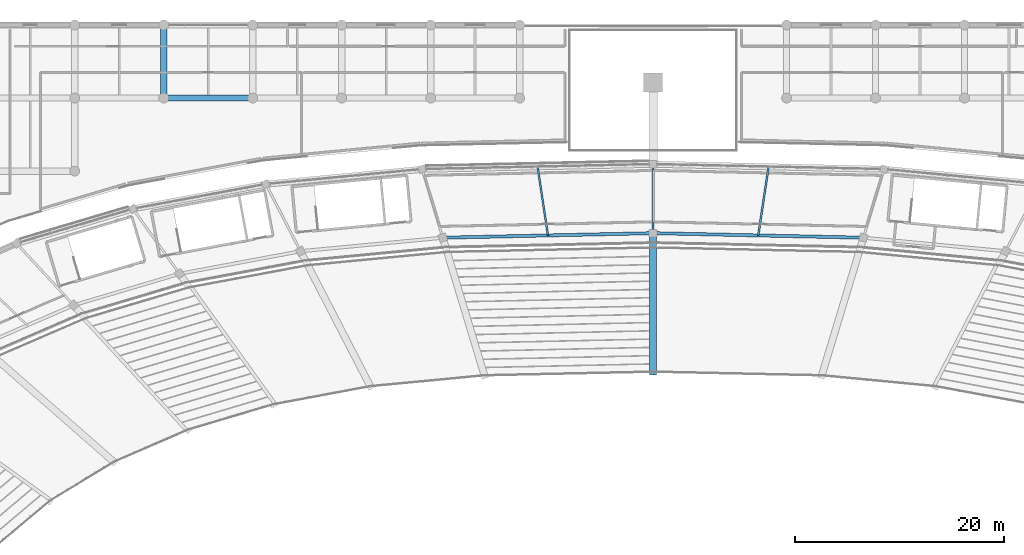
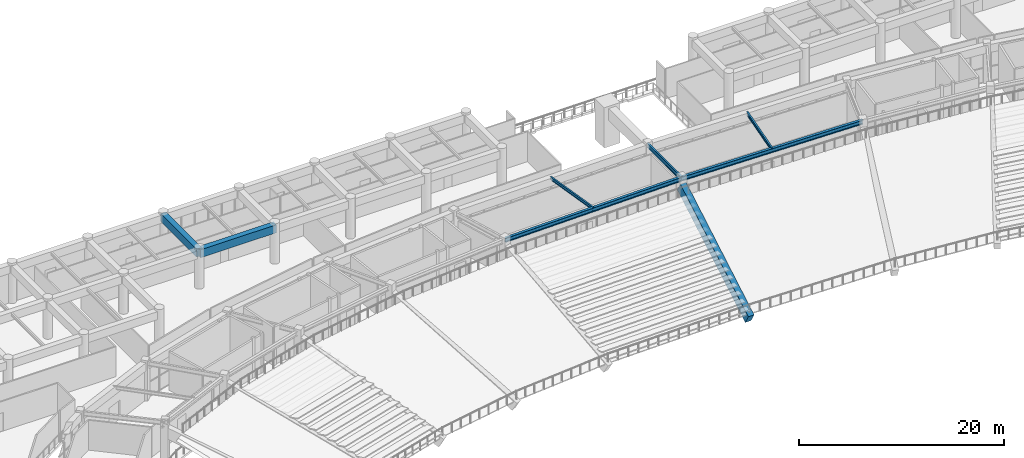
# One storey, part 60 of 137: 8 beams.
"""IFC4 building model written with IfcOpenShell, lengths in metres."""

from ifc_helpers import new_model, si_unit, direction, frame, origin, origin_2d, place, context, subcontext, project, spatial, rectangle, i_section, extrude, material, material_profile, profile_set, type_object, element, save


model = new_model("IFC4")

# Units and contexts
model_context = context("Model", 3, precision=1e-05, world=origin(), true_north=direction((0.0, 1.0)))
body_context = subcontext(model_context, "Body", "Model", "MODEL_VIEW")
ifc_project = project(units=[si_unit("LENGTHUNIT", "METRE"), si_unit("AREAUNIT", "SQUARE_METRE"), si_unit("VOLUMEUNIT", "CUBIC_METRE"), si_unit("PLANEANGLEUNIT", "RADIAN"), si_unit("MASSUNIT", "GRAM", prefix="KILO")], contexts=[model_context])

# Site, building, storey
site_placement = place(None, origin())
site = spatial("IfcSite", under=ifc_project, at=site_placement, CompositionType="ELEMENT")
building_placement = place(site_placement, origin())
building = spatial("IfcBuilding", under=site, at=building_placement, Name="Mphavela Belvedere Stadium", CompositionType="ELEMENT")
storey_placement = place(building_placement, frame((0.0, 0.0, 19.199951171875)))
storey = spatial("IfcBuildingStorey", under=building, at=storey_placement, Name="L04", CompositionType="ELEMENT", Elevation=19.199951171875)

# Beams
ifc_material_1 = material(Name="Concrete C40/50", Category="concrete")
ifc_material_profile_1 = material_profile(ifc_material_1, rectangle(XDim=0.60009765625, YDim=0.949951171875, at=origin_2d()), Name="RC 600x950")
ifc_profile_set_1 = profile_set([ifc_material_profile_1], Name="Concrete C40/50")
beam_type_1 = type_object("IfcBeamType", Name="BM-ENTABLATURE-950", PredefinedType="SPANDREL", material=ifc_profile_set_1)
beam_1_placement = place(storey_placement, frame((68.14794921875, 167.0, 4.06494140625), z_axis=(1.0, 0.0, 0.0), x_axis=(0.0, 1.0, 0.0)))
element("IfcBeam", 1, at=beam_1_placement, inside=storey, type_object=beam_type_1, Name="North Mast and Ceremonial End Forecourt entablature beam X L04 9-7", PredefinedType="SPANDREL", context=body_context, shape_type="SweptSolid", body=[
    extrude(rectangle(XDim=0.60009765625, YDim=0.949951171875, at=origin_2d()), origin(), (0.0, 0.0, 1.0), 8.51904296875),
])
beam_2_placement = place(storey_placement, frame((68.14794921875, 167.0, 4.06494140625), z_axis=(0.0, 1.0, 0.0), x_axis=(-1.0, 0.0, 0.0)))
element("IfcBeam", 2, at=beam_2_placement, inside=storey, type_object=beam_type_1, Name="North Mast and Ceremonial End Forecourt entablature beam Y L04 9-7", PredefinedType="SPANDREL", context=body_context, shape_type="SweptSolid", body=[
    extrude(rectangle(XDim=0.60009765625, YDim=0.949951171875, at=origin_2d()), origin(), (0.0, 0.0, 1.0), 7.0),
])
ifc_material_2 = material(Name="Steel S355", Category="steel")
ifc_material_profile_2 = material_profile(ifc_material_2, i_section(OverallWidth=0.169921875, OverallDepth=0.360107421875, WebThickness=0.008056640625, FlangeThickness=0.0126953125, at=origin_2d()), Name="IPE 360")
ifc_profile_set_2 = profile_set([ifc_material_profile_2], Name="Steel S355")
beam_type_2 = type_object("IfcBeamType", Name="BM-JOIST-IPE360", PredefinedType="JOIST", material=ifc_profile_set_2)
beam_3_placement = place(storey_placement, frame((104.93359375, 153.850830078125, 4.3701171875), z_axis=(-0.148900105887, 0.98885224299, 0.0), x_axis=(-0.98885224299, -0.148900105887, 0.0)))
element("IfcBeam", 3, at=beam_3_placement, inside=storey, type_object=beam_type_2, Name="Concourse floor joist L04-13", PredefinedType="JOIST", context=body_context, shape_type="SweptSolid", body=[
    extrude(i_section(OverallWidth=0.169921875, OverallDepth=0.360107421875, WebThickness=0.008056640625, FlangeThickness=0.0126953125, at=origin_2d()), origin(), (0.0, 0.0, 1.0), 6.6552734375),
])
ifc_material_3 = material(Name="Steel S355", Category="steel")
ifc_material_profile_3 = material_profile(ifc_material_3, i_section(OverallWidth=0.179931640625, OverallDepth=0.39990234375, WebThickness=0.008544921875, FlangeThickness=0.013427734375, at=origin_2d()), Name="IPE 400")
ifc_profile_set_3 = profile_set([ifc_material_profile_3], Name="Steel S355")
beam_type_3 = type_object("IfcBeamType", Name="BM-JOIST-IPE400", PredefinedType="JOIST", material=ifc_profile_set_3)
beam_4_placement = place(storey_placement, frame((125.06640625, 153.850830078125, 4.35009765625), z_axis=(0.148900105887, 0.98885224299, 0.0), x_axis=(-0.98885224299, 0.148900105887, 0.0)))
element("IfcBeam", 4, at=beam_4_placement, inside=storey, type_object=beam_type_3, Name="Concourse floor joist L04-12", PredefinedType="JOIST", context=body_context, shape_type="SweptSolid", body=[
    extrude(i_section(OverallWidth=0.179931640625, OverallDepth=0.39990234375, WebThickness=0.008544921875, FlangeThickness=0.013427734375, at=origin_2d()), origin(), (0.0, 0.0, 1.0), 6.6552734375),
])
ifc_material_4 = material(Name="Precast concrete C45/55", Category="concrete")
ifc_material_profile_4 = material_profile(ifc_material_4, rectangle(XDim=0.64990234375, YDim=1.199951171875, at=origin_2d()), Name="PC 650x1200")
ifc_profile_set_4 = profile_set([ifc_material_profile_4], Name="Precast concrete C45/55")
beam_type_4 = type_object("IfcBeamType", Name="BM-RAKER-UPPER", PredefinedType="USERDEFINED", material=ifc_profile_set_4)
beam_5_placement = place(storey_placement, frame((115.0, 140.79296875, -4.349853515625), z_axis=(0.0, 0.863592195442, 0.504190955861), x_axis=(-1.0, 0.0, 0.0)))
element("IfcBeam", 5, at=beam_5_placement, inside=storey, type_object=beam_type_4, Name="Upper tier precast cantilever raker beam RK-U-13", ObjectType="RAKER BEAM", PredefinedType="USERDEFINED", context=body_context, shape_type="SweptSolid", body=[
    extrude(rectangle(XDim=0.64990234375, YDim=1.199951171875, at=origin_2d()), origin(), (0.0, 0.0, 1.0), 15.37109375),
])
ifc_material_5 = material(Name="Steel S355", Category="steel")
ifc_material_profile_5 = material_profile(ifc_material_5, i_section(OverallWidth=0.300048828125, OverallDepth=0.489990234375, WebThickness=0.011962890625, FlangeThickness=0.02294921875, at=origin_2d()), Name="HEA 500")
ifc_profile_set_5 = profile_set([ifc_material_profile_5], Name="Steel S355")
beam_type_5 = type_object("IfcBeamType", Name="BM-STEEL-HEA500", PredefinedType="BEAM", material=ifc_profile_set_5)
for number, where, z_axis, x_axis, name in (
    (6, (135.1328125, 153.634033203125, 4.304931640625), (-0.999768427465, 0.02151955955, 0.0), (-0.02151955955, -0.999768427465, 0.0), "Circumferential girder L04 R3-12"),
    (7, (115.0, 154.0673828125, 4.304931640625), (-0.999768427465, -0.02151955955, 0.0), (0.02151955955, -0.999768427465, 0.0), "Circumferential girder L04 R3-13"),
):
    element("IfcBeam", number, at=place(storey_placement, frame(where, z_axis=z_axis, x_axis=x_axis)), inside=storey, type_object=beam_type_5, Name=name, PredefinedType="BEAM", context=body_context, shape_type="SweptSolid", body=[
        extrude(i_section(OverallWidth=0.300048828125, OverallDepth=0.489990234375, WebThickness=0.011962890625, FlangeThickness=0.02294921875, at=origin_2d()), origin(), (0.0, 0.0, 1.0), 20.137451171875),
    ])
ifc_material_6 = material(Name="Steel S355", Category="steel")
ifc_material_profile_6 = material_profile(ifc_material_6, i_section(OverallWidth=0.199951171875, OverallDepth=0.5, WebThickness=0.01025390625, FlangeThickness=0.01611328125, at=origin_2d()), Name="IPE 500")
ifc_profile_set_6 = profile_set([ifc_material_profile_6], Name="Steel S355")
beam_type_6 = type_object("IfcBeamType", Name="BM-STEEL-IPE500", PredefinedType="BEAM", material=ifc_profile_set_6)
beam_6_placement = place(storey_placement, frame((115.0, 154.0673828125, 4.300048828125), z_axis=(0.0, 1.0, 0.0), x_axis=(-1.0, 0.0, 0.0)))
element("IfcBeam", 8, at=beam_6_placement, inside=storey, type_object=beam_type_6, Name="Radial concourse girder L04 R3R4-13", PredefinedType="BEAM", context=body_context, shape_type="SweptSolid", body=[
    extrude(i_section(OverallWidth=0.199951171875, OverallDepth=0.5, WebThickness=0.01025390625, FlangeThickness=0.01611328125, at=origin_2d()), origin(), (0.0, 0.0, 1.0), 6.6025390625),
])

save(model, "model.ifc")
